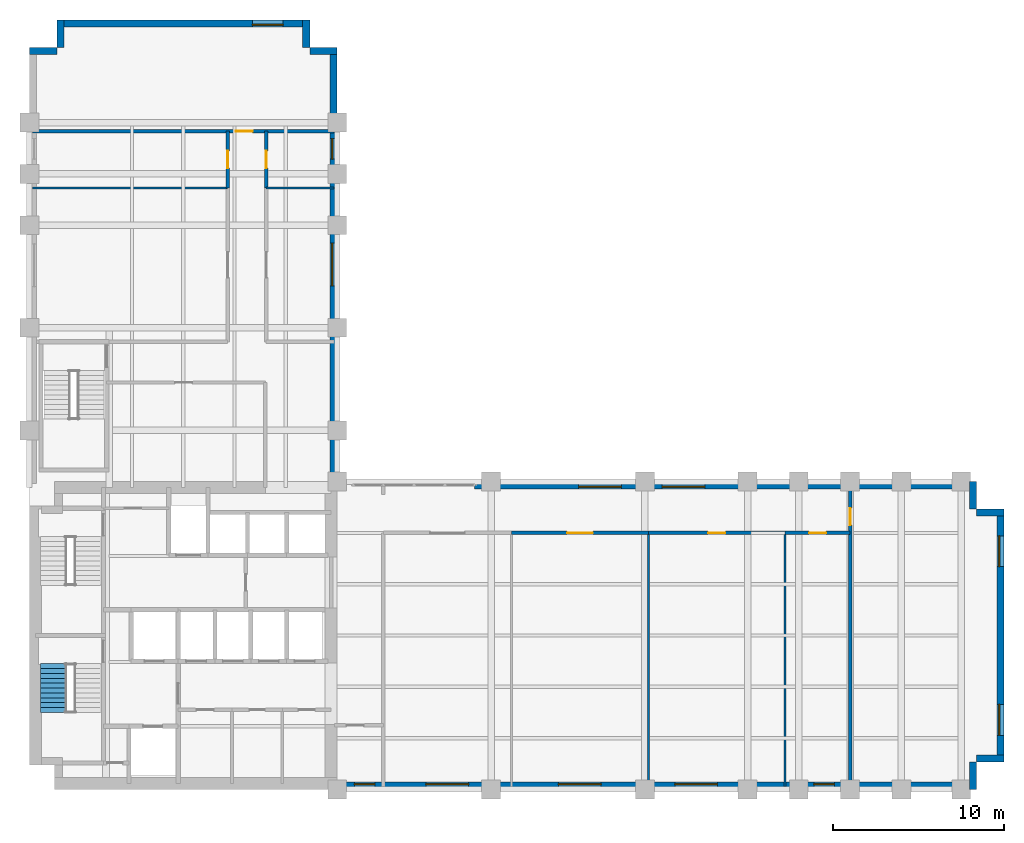
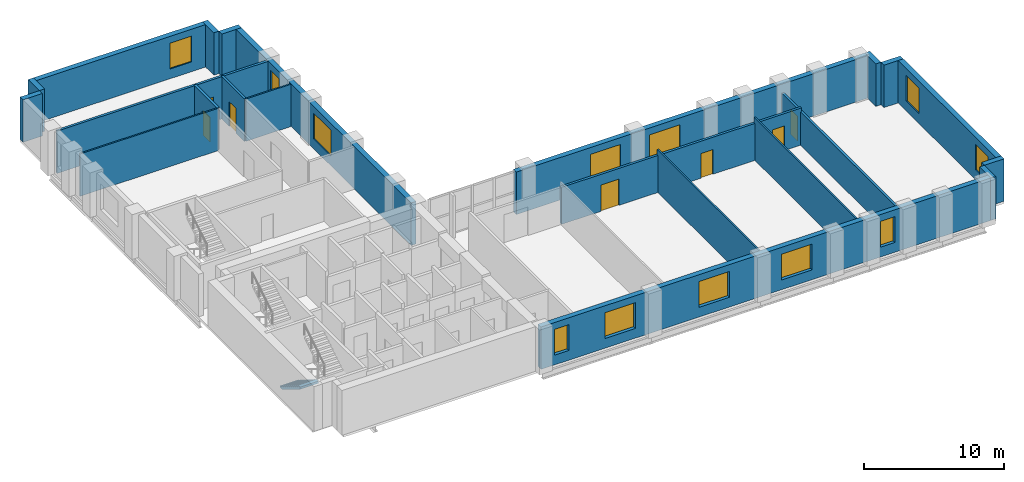
# One storey, part 6 of 8: 24 walls, 12 windows, 7 doors, 1 stair flight, 19 openings, 1 element without a shape of its own.
"""IFC4 building model written with IfcOpenShell, lengths in metres."""

from ifc_helpers import new_model, si_unit, direction, frame, frame_2d, origin, place, context, subcontext, project, spatial, polyline, rectangle, outline, extrude, material, layer, layer_set, type_object, element, fill, aggregate, save


model = new_model("IFC4")

# Units and contexts
model_context = context("Model", 3, precision=1e-05, world=origin(), true_north=direction((0.0, 1.0)))
body_context = subcontext(model_context, "Body", "Model", "MODEL_VIEW")
ifc_project = project(units=[si_unit("LENGTHUNIT", "METRE"), si_unit("AREAUNIT", "SQUARE_METRE"), si_unit("VOLUMEUNIT", "CUBIC_METRE"), si_unit("PLANEANGLEUNIT", "RADIAN"), si_unit("MASSUNIT", "GRAM", prefix="KILO")], contexts=[model_context])

# Site, building, storey
site_placement = place(None, origin())
site = spatial("IfcSite", under=ifc_project, at=site_placement, CompositionType="ELEMENT")
building_placement = place(site_placement, origin())
building = spatial("IfcBuilding", under=site, at=building_placement, Name="Mawjdan Bourse Tower", CompositionType="ELEMENT")
storey_placement = place(building_placement, frame((0.0, 0.0, 101.10009765625)))
storey = spatial("IfcBuildingStorey", under=building, at=storey_placement, Name="L23", CompositionType="ELEMENT", Elevation=101.10009765625)

# Wall, openings, windows
ifc_material_1 = material(Name="Brick Masonry Buff", Category="masonry")
ifc_layer_1 = layer(ifc_material_1, 0.419921875)
ifc_layer_set_1 = layer_set([ifc_layer_1], Name="Brick Masonry Buff")
wall_type_1 = type_object("IfcWallType", Name="WL-BRK-BUFF-420", PredefinedType="STANDARD", material=ifc_layer_set_1)
wall_1_placement = place(storey_placement, frame((23.89990234375, 3.2099609375, 0.0), z_axis=(0.0, 0.0, 1.0), x_axis=(1.0, 0.0, 0.0)))
wall_1 = element("IfcWall", 1, at=wall_1_placement, inside=storey, type_object=wall_type_1, Name="L23 Exterior Brick Wall 1", PredefinedType="STANDARD", context=body_context, shape_type="SweptSolid", body=[
    extrude(rectangle(XDim=37.5, YDim=0.419921875, at=frame_2d((18.75, 0.0))), origin(), (0.0, 0.0, 1.0), 3.699951171875),
])
opening_1_placement = place(wall_1_placement, frame((19.84375, 0.0, 0.85009765625)))
opening_1 = element("IfcOpeningElement", 2, at=opening_1_placement, cuts=wall_1, Name="Opening W-L23-01", PredefinedType="OPENING", context=body_context, shape_type="SweptSolid", body=[
    extrude(rectangle(XDim=2.5, YDim=2.25, at=frame_2d((1.25, 1.125))), frame((0.0, 0.219970703125, 0.0), z_axis=(0.0, -1.0, 0.0), x_axis=(1.0, 0.0, 0.0)), (0.0, 0.0, 1.0), 0.43994140625),
])
opening_2_placement = place(wall_1_placement, frame((1.10009765625, 0.0, 0.85009765625)))
opening_2 = element("IfcOpeningElement", 3, at=opening_2_placement, cuts=wall_1, Name="Opening W-L23-09", PredefinedType="OPENING", context=body_context, shape_type="SweptSolid", body=[
    extrude(rectangle(XDim=1.199951171875, YDim=2.25, at=frame_2d((0.60009765625, 1.125))), frame((0.0, 0.219970703125, 0.0), z_axis=(0.0, -1.0, 0.0), x_axis=(1.0, 0.0, 0.0)), (0.0, 0.0, 1.0), 0.43994140625),
])
opening_3_placement = place(wall_1_placement, frame((5.2861328125, 0.0, 0.85009765625)))
opening_3 = element("IfcOpeningElement", 4, at=opening_3_placement, cuts=wall_1, Name="Opening W-L23-10", PredefinedType="OPENING", context=body_context, shape_type="SweptSolid", body=[
    extrude(rectangle(XDim=2.5, YDim=2.25, at=frame_2d((1.25, 1.125))), frame((0.0, 0.219970703125, 0.0), z_axis=(0.0, -1.0, 0.0), x_axis=(1.0, 0.0, 0.0)), (0.0, 0.0, 1.0), 0.43994140625),
])
opening_4_placement = place(wall_1_placement, frame((13.0361328125, 0.0, 0.85009765625)))
opening_4 = element("IfcOpeningElement", 5, at=opening_4_placement, cuts=wall_1, Name="Opening W-L23-11", PredefinedType="OPENING", context=body_context, shape_type="SweptSolid", body=[
    extrude(rectangle(XDim=2.5, YDim=2.25, at=frame_2d((1.25, 1.125))), frame((0.0, 0.219970703125, 0.0), z_axis=(0.0, -1.0, 0.0), x_axis=(1.0, 0.0, 0.0)), (0.0, 0.0, 1.0), 0.43994140625),
])
opening_5_placement = place(wall_1_placement, frame((27.986083984375, 0.0, 0.85009765625)))
opening_5 = element("IfcOpeningElement", 6, at=opening_5_placement, cuts=wall_1, Name="Opening W-L23-12", PredefinedType="OPENING", context=body_context, shape_type="SweptSolid", body=[
    extrude(rectangle(XDim=1.199951171875, YDim=2.25, at=frame_2d((0.60009765625, 1.125))), frame((0.0, 0.219970703125, 0.0), z_axis=(0.0, -1.0, 0.0), x_axis=(1.0, 0.0, 0.0)), (0.0, 0.0, 1.0), 0.43994140625),
])
ifc_material_2 = material(Name="Solar-Control Clear Double Glazing", Category="glass")
window_type_1 = type_object("IfcWindowType", Name="WN-Z2-1200", PartitioningType="SINGLE_PANEL", PredefinedType="WINDOW", material=ifc_material_2)
window_1_placement = place(opening_2_placement, origin())
window_1 = element("IfcWindow", 7, at=window_1_placement, inside=storey, type_object=window_type_1, Name="L23 Deep-Set Masonry Window W-L23-09", OverallHeight=2.25, OverallWidth=1.199951171875, PartitioningType="SINGLE_PANEL", PredefinedType="WINDOW", context=body_context, shape_type="SweptSolid", body=[
    extrude(rectangle(XDim=1.199951171875, YDim=2.25, at=frame_2d((0.60009765625, 1.125))), frame((0.0, 0.110107421875, 0.0), z_axis=(0.0, -1.0, 0.0), x_axis=(1.0, 0.0, 0.0)), (0.0, 0.0, 1.0), 0.06005859375),
])
fill(opening_2, window_1)
window_2_placement = place(opening_5_placement, origin())
window_2 = element("IfcWindow", 8, at=window_2_placement, inside=storey, type_object=window_type_1, Name="L23 Deep-Set Masonry Window W-L23-12", OverallHeight=2.25, OverallWidth=1.199951171875, PartitioningType="SINGLE_PANEL", PredefinedType="WINDOW", context=body_context, shape_type="SweptSolid", body=[
    extrude(rectangle(XDim=1.199951171875, YDim=2.25, at=frame_2d((0.60009765625, 1.125))), frame((0.0, 0.110107421875, 0.0), z_axis=(0.0, -1.0, 0.0), x_axis=(1.0, 0.0, 0.0)), (0.0, 0.0, 1.0), 0.06005859375),
])
fill(opening_5, window_2)
window_type_2 = type_object("IfcWindowType", Name="WN-Z2-2500", PartitioningType="SINGLE_PANEL", PredefinedType="WINDOW", material=ifc_material_2)
window_3_placement = place(opening_1_placement, origin())
window_3 = element("IfcWindow", 9, at=window_3_placement, inside=storey, type_object=window_type_2, Name="L23 Deep-Set Masonry Window W-L23-01", OverallHeight=2.25, OverallWidth=2.5, PartitioningType="SINGLE_PANEL", PredefinedType="WINDOW", context=body_context, shape_type="SweptSolid", body=[
    extrude(rectangle(XDim=2.5, YDim=2.25, at=frame_2d((1.25, 1.125))), frame((0.0, 0.110107421875, 0.0), z_axis=(0.0, -1.0, 0.0), x_axis=(1.0, 0.0, 0.0)), (0.0, 0.0, 1.0), 0.06005859375),
])
fill(opening_1, window_3)
window_4_placement = place(opening_3_placement, origin())
window_4 = element("IfcWindow", 10, at=window_4_placement, inside=storey, type_object=window_type_2, Name="L23 Deep-Set Masonry Window W-L23-10", OverallHeight=2.25, OverallWidth=2.5, PartitioningType="SINGLE_PANEL", PredefinedType="WINDOW", context=body_context, shape_type="SweptSolid", body=[
    extrude(rectangle(XDim=2.5, YDim=2.25, at=frame_2d((1.25, 1.125))), frame((0.0, 0.110107421875, 0.0), z_axis=(0.0, -1.0, 0.0), x_axis=(1.0, 0.0, 0.0)), (0.0, 0.0, 1.0), 0.06005859375),
])
fill(opening_3, window_4)
window_5_placement = place(opening_4_placement, origin())
window_5 = element("IfcWindow", 11, at=window_5_placement, inside=storey, type_object=window_type_2, Name="L23 Deep-Set Masonry Window W-L23-11", OverallHeight=2.25, OverallWidth=2.5, PartitioningType="SINGLE_PANEL", PredefinedType="WINDOW", context=body_context, shape_type="SweptSolid", body=[
    extrude(rectangle(XDim=2.5, YDim=2.25, at=frame_2d((1.25, 1.125))), frame((0.0, 0.110107421875, 0.0), z_axis=(0.0, -1.0, 0.0), x_axis=(1.0, 0.0, 0.0)), (0.0, 0.0, 1.0), 0.06005859375),
])
fill(opening_4, window_5)

# Walls
for number, where, z_axis, x_axis, name in (
    (12, (61.18994140625, 3.0, 0.0), (0.0, 0.0, 1.0), (0.0, 1.0, 0.0), "L23 Exterior Brick Wall 2"),
    (13, (61.39990234375, 4.81005859375, 0.0), (0.0, 0.0, 1.0), (1.0, 0.0, 0.0), "L23 Exterior Brick Wall 3"),
):
    element("IfcWall", number, at=place(storey_placement, frame(where, z_axis=z_axis, x_axis=x_axis)), inside=storey, type_object=wall_type_1, Name=name, PredefinedType="STANDARD", context=body_context, shape_type="SweptSolid", body=[
        extrude(rectangle(XDim=1.60009765625, YDim=0.419921875, at=frame_2d((0.800048828125, 0.0))), origin(), (0.0, 0.0, 1.0), 3.699951171875),
    ])

# Wall, openings, windows
wall_2_placement = place(storey_placement, frame((62.7900390625, 4.60009765625, 0.0), z_axis=(0.0, 0.0, 1.0), x_axis=(0.0, 1.0, 0.0)))
wall_2 = element("IfcWall", 14, at=wall_2_placement, inside=storey, type_object=wall_type_1, Name="L23 Exterior Brick Wall 4", PredefinedType="STANDARD", context=body_context, shape_type="SweptSolid", body=[
    extrude(rectangle(XDim=14.7998046875, YDim=0.419921875, at=frame_2d((7.39990234375, 0.0))), origin(), (0.0, 0.0, 1.0), 3.699951171875),
])
opening_6_placement = place(wall_2_placement, frame((1.566650390625, 0.0, 0.85009765625)))
opening_6 = element("IfcOpeningElement", 15, at=opening_6_placement, cuts=wall_2, Name="Opening W-L23-02", PredefinedType="OPENING", context=body_context, shape_type="SweptSolid", body=[
    extrude(rectangle(XDim=1.800048828125, YDim=2.25, at=frame_2d((0.89990234375, 1.125))), frame((0.0, 0.219970703125, 0.0), z_axis=(0.0, -1.0, 0.0), x_axis=(1.0, 0.0, 0.0)), (0.0, 0.0, 1.0), 0.43994140625),
])
opening_7_placement = place(wall_2_placement, frame((11.433349609375, 0.0, 0.85009765625)))
opening_7 = element("IfcOpeningElement", 16, at=opening_7_placement, cuts=wall_2, Name="Opening W-L23-03", PredefinedType="OPENING", context=body_context, shape_type="SweptSolid", body=[
    extrude(rectangle(XDim=1.800048828125, YDim=2.25, at=frame_2d((0.89990234375, 1.125))), frame((0.0, 0.219970703125, 0.0), z_axis=(0.0, -1.0, 0.0), x_axis=(1.0, 0.0, 0.0)), (0.0, 0.0, 1.0), 0.43994140625),
])
window_type_3 = type_object("IfcWindowType", Name="WN-Z2-1800", PartitioningType="SINGLE_PANEL", PredefinedType="WINDOW", material=ifc_material_2)
window_6_placement = place(opening_6_placement, origin())
window_6 = element("IfcWindow", 17, at=window_6_placement, inside=storey, type_object=window_type_3, Name="L23 Deep-Set Masonry Window W-L23-02", OverallHeight=2.25, OverallWidth=1.800048828125, PartitioningType="SINGLE_PANEL", PredefinedType="WINDOW", context=body_context, shape_type="SweptSolid", body=[
    extrude(rectangle(XDim=1.800048828125, YDim=2.25, at=frame_2d((0.89990234375, 1.125))), frame((0.0, 0.110107421875, 0.0), z_axis=(0.0, -1.0, 0.0), x_axis=(1.0, 0.0, 0.0)), (0.0, 0.0, 1.0), 0.06005859375),
])
fill(opening_6, window_6)
window_7_placement = place(opening_7_placement, origin())
window_7 = element("IfcWindow", 18, at=window_7_placement, inside=storey, type_object=window_type_3, Name="L23 Deep-Set Masonry Window W-L23-03", OverallHeight=2.25, OverallWidth=1.800048828125, PartitioningType="SINGLE_PANEL", PredefinedType="WINDOW", context=body_context, shape_type="SweptSolid", body=[
    extrude(rectangle(XDim=1.800048828125, YDim=2.25, at=frame_2d((0.89990234375, 1.125))), frame((0.0, 0.110107421875, 0.0), z_axis=(0.0, -1.0, 0.0), x_axis=(1.0, 0.0, 0.0)), (0.0, 0.0, 1.0), 0.06005859375),
])
fill(opening_7, window_7)

# Walls
for number, where, z_axis, x_axis, name in (
    (19, (63.0, 19.18994140625, 0.0), (0.0, 0.0, 1.0), (-1.0, 0.0, 0.0), "L23 Exterior Brick Wall 5"),
    (20, (61.18994140625, 19.39990234375, 0.0), (0.0, 0.0, 1.0), (0.0, 1.0, 0.0), "L23 Exterior Brick Wall 6"),
):
    element("IfcWall", number, at=place(storey_placement, frame(where, z_axis=z_axis, x_axis=x_axis)), inside=storey, type_object=wall_type_1, Name=name, PredefinedType="STANDARD", context=body_context, shape_type="SweptSolid", body=[
        extrude(rectangle(XDim=1.60009765625, YDim=0.419921875, at=frame_2d((0.800048828125, 0.0))), origin(), (0.0, 0.0, 1.0), 3.699951171875),
    ])

# Wall, openings, windows
wall_3_placement = place(storey_placement, frame((61.39990234375, 20.7900390625, 0.0), z_axis=(0.0, 0.0, 1.0), x_axis=(-1.0, 0.0, 0.0)))
wall_3 = element("IfcWall", 21, at=wall_3_placement, inside=storey, type_object=wall_type_1, Name="L23 Exterior Brick Wall 7A", PredefinedType="STANDARD", context=body_context, shape_type="SweptSolid", body=[
    extrude(rectangle(XDim=29.3798828125, YDim=0.419921875, at=frame_2d((14.68994140625, 0.0))), origin(), (0.0, 0.0, 1.0), 3.699951171875),
])
opening_8_placement = place(wall_3_placement, frame((15.88818359375, 0.0, 0.85009765625)))
opening_8 = element("IfcOpeningElement", 22, at=opening_8_placement, cuts=wall_3, Name="Opening W-L23-04", PredefinedType="OPENING", context=body_context, shape_type="SweptSolid", body=[
    extrude(rectangle(XDim=2.5, YDim=2.25, at=frame_2d((1.25, 1.125))), frame((0.0, 0.219970703125, 0.0), z_axis=(0.0, -1.0, 0.0), x_axis=(1.0, 0.0, 0.0)), (0.0, 0.0, 1.0), 0.43994140625),
])
opening_9_placement = place(wall_3_placement, frame((20.784912109375, 0.0, 0.85009765625)))
opening_9 = element("IfcOpeningElement", 23, at=opening_9_placement, cuts=wall_3, Name="Opening W-L23-05", PredefinedType="OPENING", context=body_context, shape_type="SweptSolid", body=[
    extrude(rectangle(XDim=2.5, YDim=2.25, at=frame_2d((1.25, 1.125))), frame((0.0, 0.219970703125, 0.0), z_axis=(0.0, -1.0, 0.0), x_axis=(1.0, 0.0, 0.0)), (0.0, 0.0, 1.0), 0.43994140625),
])
window_8_placement = place(opening_8_placement, origin())
window_8 = element("IfcWindow", 24, at=window_8_placement, inside=storey, type_object=window_type_2, Name="L23 Deep-Set Masonry Window W-L23-04", OverallHeight=2.25, OverallWidth=2.5, PartitioningType="SINGLE_PANEL", PredefinedType="WINDOW", context=body_context, shape_type="SweptSolid", body=[
    extrude(rectangle(XDim=2.5, YDim=2.25, at=frame_2d((1.25, 1.125))), frame((0.0, 0.110107421875, 0.0), z_axis=(0.0, -1.0, 0.0), x_axis=(1.0, 0.0, 0.0)), (0.0, 0.0, 1.0), 0.06005859375),
])
fill(opening_8, window_8)
window_9_placement = place(opening_9_placement, origin())
window_9 = element("IfcWindow", 25, at=window_9_placement, inside=storey, type_object=window_type_2, Name="L23 Deep-Set Masonry Window W-L23-05", OverallHeight=2.25, OverallWidth=2.5, PartitioningType="SINGLE_PANEL", PredefinedType="WINDOW", context=body_context, shape_type="SweptSolid", body=[
    extrude(rectangle(XDim=2.5, YDim=2.25, at=frame_2d((1.25, 1.125))), frame((0.0, 0.110107421875, 0.0), z_axis=(0.0, -1.0, 0.0), x_axis=(1.0, 0.0, 0.0)), (0.0, 0.0, 1.0), 0.06005859375),
])
fill(opening_9, window_9)

wall_4_placement = place(storey_placement, frame((23.7900390625, 21.0, 0.0), z_axis=(0.0, 0.0, 1.0), x_axis=(0.0, 1.0, 0.0)))
wall_4 = element("IfcWall", 26, at=wall_4_placement, inside=storey, type_object=wall_type_1, Name="L23 Exterior Brick Wall 8", PredefinedType="STANDARD", context=body_context, shape_type="SweptSolid", body=[
    extrude(rectangle(XDim=25.39990234375, YDim=0.419921875, at=frame_2d((12.699951171875, 0.0))), origin(), (0.0, 0.0, 1.0), 3.699951171875),
])
opening_10_placement = place(wall_4_placement, frame((11.449951171875, 0.0, 0.85009765625)))
opening_10 = element("IfcOpeningElement", 27, at=opening_10_placement, cuts=wall_4, Name="Opening W-L23-06", PredefinedType="OPENING", context=body_context, shape_type="SweptSolid", body=[
    extrude(rectangle(XDim=2.5, YDim=2.25, at=frame_2d((1.25, 1.125))), frame((0.0, 0.219970703125, 0.0), z_axis=(0.0, -1.0, 0.0), x_axis=(1.0, 0.0, 0.0)), (0.0, 0.0, 1.0), 0.43994140625),
])
opening_11_placement = place(wall_4_placement, frame((18.8662109375, 0.0, 0.85009765625)))
opening_11 = element("IfcOpeningElement", 28, at=opening_11_placement, cuts=wall_4, Name="Opening W-L23-14", PredefinedType="OPENING", context=body_context, shape_type="SweptSolid", body=[
    extrude(rectangle(XDim=1.199951171875, YDim=2.25, at=frame_2d((0.60009765625, 1.125))), frame((0.0, 0.219970703125, 0.0), z_axis=(0.0, -1.0, 0.0), x_axis=(1.0, 0.0, 0.0)), (0.0, 0.0, 1.0), 0.43994140625),
])
window_10_placement = place(opening_11_placement, origin())
window_10 = element("IfcWindow", 29, at=window_10_placement, inside=storey, type_object=window_type_1, Name="L23 Deep-Set Masonry Window W-L23-14", OverallHeight=2.25, OverallWidth=1.199951171875, PartitioningType="SINGLE_PANEL", PredefinedType="WINDOW", context=body_context, shape_type="SweptSolid", body=[
    extrude(rectangle(XDim=1.199951171875, YDim=2.25, at=frame_2d((0.60009765625, 1.125))), frame((0.0, 0.110107421875, 0.0), z_axis=(0.0, -1.0, 0.0), x_axis=(1.0, 0.0, 0.0)), (0.0, 0.0, 1.0), 0.06005859375),
])
fill(opening_11, window_10)
window_11_placement = place(opening_10_placement, origin())
window_11 = element("IfcWindow", 30, at=window_11_placement, inside=storey, type_object=window_type_2, Name="L23 Deep-Set Masonry Window W-L23-06", OverallHeight=2.25, OverallWidth=2.5, PartitioningType="SINGLE_PANEL", PredefinedType="WINDOW", context=body_context, shape_type="SweptSolid", body=[
    extrude(rectangle(XDim=2.5, YDim=2.25, at=frame_2d((1.25, 1.125))), frame((0.0, 0.110107421875, 0.0), z_axis=(0.0, -1.0, 0.0), x_axis=(1.0, 0.0, 0.0)), (0.0, 0.0, 1.0), 0.06005859375),
])
fill(opening_10, window_11)

# Walls
for number, where, z_axis, x_axis, name in (
    (31, (24.0, 46.18994140625, 0.0), (0.0, 0.0, 1.0), (-1.0, 0.0, 0.0), "L23 Exterior Brick Wall 9"),
    (32, (22.18994140625, 46.39990234375, 0.0), (0.0, 0.0, 1.0), (0.0, 1.0, 0.0), "L23 Exterior Brick Wall 10"),
):
    element("IfcWall", number, at=place(storey_placement, frame(where, z_axis=z_axis, x_axis=x_axis)), inside=storey, type_object=wall_type_1, Name=name, PredefinedType="STANDARD", context=body_context, shape_type="SweptSolid", body=[
        extrude(rectangle(XDim=1.60009765625, YDim=0.419921875, at=frame_2d((0.800048828125, 0.0))), origin(), (0.0, 0.0, 1.0), 3.699951171875),
    ])

# Wall, opening, window
wall_5_placement = place(storey_placement, frame((22.39990234375, 47.7900390625, 0.0), z_axis=(0.0, 0.0, 1.0), x_axis=(-1.0, 0.0, 0.0)))
wall_5 = element("IfcWall", 33, at=wall_5_placement, inside=storey, type_object=wall_type_1, Name="L23 Exterior Brick Wall 11", PredefinedType="STANDARD", context=body_context, shape_type="SweptSolid", body=[
    extrude(rectangle(XDim=14.7998046875, YDim=0.419921875, at=frame_2d((7.39990234375, 0.0))), origin(), (0.0, 0.0, 1.0), 3.699951171875),
])
opening_12_placement = place(wall_5_placement, frame((1.566650390625, 0.0, 0.85009765625)))
opening_12 = element("IfcOpeningElement", 34, at=opening_12_placement, cuts=wall_5, Name="Opening W-L23-07", PredefinedType="OPENING", context=body_context, shape_type="SweptSolid", body=[
    extrude(rectangle(XDim=1.800048828125, YDim=2.25, at=frame_2d((0.89990234375, 1.125))), frame((0.0, 0.219970703125, 0.0), z_axis=(0.0, -1.0, 0.0), x_axis=(1.0, 0.0, 0.0)), (0.0, 0.0, 1.0), 0.43994140625),
])
window_12_placement = place(opening_12_placement, origin())
window_12 = element("IfcWindow", 35, at=window_12_placement, inside=storey, type_object=window_type_3, Name="L23 Deep-Set Masonry Window W-L23-07", OverallHeight=2.25, OverallWidth=1.800048828125, PartitioningType="SINGLE_PANEL", PredefinedType="WINDOW", context=body_context, shape_type="SweptSolid", body=[
    extrude(rectangle(XDim=1.800048828125, YDim=2.25, at=frame_2d((0.89990234375, 1.125))), frame((0.0, 0.110107421875, 0.0), z_axis=(0.0, -1.0, 0.0), x_axis=(1.0, 0.0, 0.0)), (0.0, 0.0, 1.0), 0.06005859375),
])
fill(opening_12, window_12)

# Walls
for number, where, z_axis, x_axis, name in (
    (36, (7.81005859375, 48.0, 0.0), (0.0, 0.0, 1.0), (0.0, -1.0, 0.0), "L23 Exterior Brick Wall 12"),
    (37, (7.60009765625, 46.18994140625, 0.0), (0.0, 0.0, 1.0), (-1.0, 0.0, 0.0), "L23 Exterior Brick Wall 13"),
):
    element("IfcWall", number, at=place(storey_placement, frame(where, z_axis=z_axis, x_axis=x_axis)), inside=storey, type_object=wall_type_1, Name=name, PredefinedType="STANDARD", context=body_context, shape_type="SweptSolid", body=[
        extrude(rectangle(XDim=1.60009765625, YDim=0.419921875, at=frame_2d((0.800048828125, 0.0))), origin(), (0.0, 0.0, 1.0), 3.699951171875),
    ])

# Wall, opening, door
ifc_material_3 = material(Name="Gypsum Fireboard Assembly")
ifc_layer_2 = layer(ifc_material_3, 0.199951171875)
ifc_layer_set_2 = layer_set([ifc_layer_2], Name="Gypsum Fireboard Assembly")
wall_type_2 = type_object("IfcWallType", Name="WL-CMP-200", PredefinedType="PARTITIONING", material=ifc_layer_set_2)
wall_6_placement = place(storey_placement, frame((34.199951171875, 18.0, 0.0), z_axis=(0.0, 0.0, 1.0), x_axis=(1.0, 0.0, 0.0)))
wall_6 = element("IfcWall", 38, at=wall_6_placement, inside=storey, type_object=wall_type_2, Name="L23 Conference Room Corridor Wall", PredefinedType="PARTITIONING", context=body_context, shape_type="SweptSolid", body=[
    extrude(rectangle(XDim=8.0, YDim=0.199951171875, at=frame_2d((4.0, 0.0))), origin(), (0.0, 0.0, 1.0), 3.226806640625),
])
opening_13_placement = place(wall_6_placement, frame((3.25, 0.0, 0.0)))
opening_13 = element("IfcOpeningElement", 39, at=opening_13_placement, cuts=wall_6, Name="Opening D-L23-22", PredefinedType="OPENING", context=body_context, shape_type="SweptSolid", body=[
    extrude(rectangle(XDim=1.5, YDim=2.300048828125, at=frame_2d((0.75, 1.14990234375))), frame((0.0, 0.10986328125, 0.0), z_axis=(0.0, -1.0, 0.0), x_axis=(1.0, 0.0, 0.0)), (0.0, 0.0, 1.0), 0.219970703125),
])
ifc_material_4 = material(Name="Acoustic Glazed Timber", Category="wood")
door_type_1 = type_object("IfcDoorType", Name="DR-CNF-1500", OperationType="DOUBLE_DOOR_SINGLE_SWING", PredefinedType="DOOR", material=ifc_material_4)
door_1_placement = place(opening_13_placement, origin())
door_1 = element("IfcDoor", 40, at=door_1_placement, inside=storey, type_object=door_type_1, Name="L23 Conference Room Door D-L23-22", OperationType="DOUBLE_DOOR_SINGLE_SWING", OverallHeight=2.300048828125, OverallWidth=1.5, PredefinedType="DOOR", context=body_context, shape_type="SweptSolid", body=[
    extrude(rectangle(XDim=1.5, YDim=2.300048828125, at=frame_2d((0.75, 1.14990234375))), frame((0.0, 0.02490234375, 0.0), z_axis=(0.0, -1.0, 0.0), x_axis=(1.0, 0.0, 0.0)), (0.0, 0.0, 1.0), 0.050048828125),
])
fill(opening_13, door_1)

wall_7_placement = place(storey_placement, frame((42.199951171875, 18.0, 0.0), z_axis=(0.0, 0.0, 1.0), x_axis=(1.0, 0.0, 0.0)))
wall_7 = element("IfcWall", 41, at=wall_7_placement, inside=storey, type_object=wall_type_2, Name="L23 Executive Office Corridor Wall", PredefinedType="PARTITIONING", context=body_context, shape_type="SweptSolid", body=[
    extrude(rectangle(XDim=8.0, YDim=0.199951171875, at=frame_2d((4.0, 0.0))), origin(), (0.0, 0.0, 1.0), 3.226806640625),
])
opening_14_placement = place(wall_7_placement, frame((3.5, 0.0, 0.0)))
opening_14 = element("IfcOpeningElement", 42, at=opening_14_placement, cuts=wall_7, Name="Opening D-L23-23", PredefinedType="OPENING", context=body_context, shape_type="SweptSolid", body=[
    extrude(rectangle(XDim=1.0, YDim=2.14990234375, at=frame_2d((0.5, 1.074951171875))), frame((0.0, 0.10986328125, 0.0), z_axis=(0.0, -1.0, 0.0), x_axis=(1.0, 0.0, 0.0)), (0.0, 0.0, 1.0), 0.219970703125),
])
ifc_material_5 = material(Name="Hardwood Acoustic Leaf", Category="wood")
door_type_2 = type_object("IfcDoorType", Name="DR-OFC-1000", OperationType="NOTDEFINED", PredefinedType="DOOR", material=ifc_material_5)
door_2_placement = place(opening_14_placement, origin())
door_2 = element("IfcDoor", 43, at=door_2_placement, inside=storey, type_object=door_type_2, Name="L23 Executive Office Door D-L23-23", OperationType="SINGLE_SWING_LEFT", OverallHeight=2.14990234375, OverallWidth=1.0, PredefinedType="DOOR", context=body_context, shape_type="SweptSolid", body=[
    extrude(rectangle(XDim=1.0, YDim=2.14990234375, at=frame_2d((0.5, 1.074951171875))), frame((0.0, 0.02490234375, 0.0), z_axis=(0.0, -1.0, 0.0), x_axis=(1.0, 0.0, 0.0)), (0.0, 0.0, 1.0), 0.050048828125),
])
fill(opening_14, door_2)

wall_8_placement = place(storey_placement, frame((50.199951171875, 18.0, 0.0), z_axis=(0.0, 0.0, 1.0), x_axis=(1.0, 0.0, 0.0)))
wall_8 = element("IfcWall", 44, at=wall_8_placement, inside=storey, type_object=wall_type_2, Name="L23 Private Banking Suite Corridor Wall", PredefinedType="PARTITIONING", context=body_context, shape_type="SweptSolid", body=[
    extrude(rectangle(XDim=3.800048828125, YDim=0.199951171875, at=frame_2d((1.89990234375, 0.0))), origin(), (0.0, 0.0, 1.0), 3.226806640625),
])
opening_15_placement = place(wall_8_placement, frame((1.39990234375, 0.0, 0.0)))
opening_15 = element("IfcOpeningElement", 45, at=opening_15_placement, cuts=wall_8, Name="Opening D-L23-24", PredefinedType="OPENING", context=body_context, shape_type="SweptSolid", body=[
    extrude(rectangle(XDim=1.0, YDim=2.14990234375, at=frame_2d((0.5, 1.074951171875))), frame((0.0, 0.10986328125, 0.0), z_axis=(0.0, -1.0, 0.0), x_axis=(1.0, 0.0, 0.0)), (0.0, 0.0, 1.0), 0.219970703125),
])
door_3_placement = place(opening_15_placement, origin())
door_3 = element("IfcDoor", 46, at=door_3_placement, inside=storey, type_object=door_type_2, Name="L23 Private Banking Suite Door D-L23-24", OperationType="SINGLE_SWING_RIGHT", OverallHeight=2.14990234375, OverallWidth=1.0, PredefinedType="DOOR", context=body_context, shape_type="SweptSolid", body=[
    extrude(rectangle(XDim=1.0, YDim=2.14990234375, at=frame_2d((0.5, 1.074951171875))), frame((0.0, 0.02490234375, 0.0), z_axis=(0.0, -1.0, 0.0), x_axis=(1.0, 0.0, 0.0)), (0.0, 0.0, 1.0), 0.050048828125),
])
fill(opening_15, door_3)

wall_9_placement = place(storey_placement, frame((54.0, 3.179931640625, 0.0), z_axis=(0.0, 0.0, 1.0), x_axis=(0.0, 1.0, 0.0)))
wall_9 = element("IfcWall", 47, at=wall_9_placement, inside=storey, type_object=wall_type_2, Name="L23 East Tip Full Cross Wall", PredefinedType="PARTITIONING", context=body_context, shape_type="SweptSolid", body=[
    extrude(rectangle(XDim=17.64013671875, YDim=0.199951171875, at=frame_2d((8.820068359375, 0.0))), origin(), (0.0, 0.0, 1.0), 2.9169921875),
])
opening_16_placement = place(wall_9_placement, frame((15.27490234375, 0.0, 0.0)))
opening_16 = element("IfcOpeningElement", 48, at=opening_16_placement, cuts=wall_9, Name="Opening D-L23-25", PredefinedType="OPENING", context=body_context, shape_type="SweptSolid", body=[
    extrude(rectangle(XDim=1.0, YDim=2.14990234375, at=frame_2d((0.5, 1.074951171875))), frame((0.0, 0.10986328125, 0.0), z_axis=(0.0, -1.0, 0.0), x_axis=(1.0, 0.0, 0.0)), (0.0, 0.0, 1.0), 0.219970703125),
])
door_4_placement = place(opening_16_placement, origin())
door_4 = element("IfcDoor", 49, at=door_4_placement, inside=storey, type_object=door_type_2, Name="L23 East Tip Hall Door D-L23-25", OperationType="SINGLE_SWING_LEFT", OverallHeight=2.14990234375, OverallWidth=1.0, PredefinedType="DOOR", context=body_context, shape_type="SweptSolid", body=[
    extrude(rectangle(XDim=1.0, YDim=2.14990234375, at=frame_2d((0.5, 1.074951171875))), frame((0.0, 0.02490234375, 0.0), z_axis=(0.0, -1.0, 0.0), x_axis=(1.0, 0.0, 0.0)), (0.0, 0.0, 1.0), 0.050048828125),
])
fill(opening_16, door_4)

wall_10_placement = place(storey_placement, frame((17.60009765625, 38.179931640625, 0.0), z_axis=(0.0, 0.0, 1.0), x_axis=(0.0, 1.0, 0.0)))
wall_10 = element("IfcWall", 50, at=wall_10_placement, inside=storey, type_object=wall_type_2, Name="L23 Executive Office Corridor Wall", PredefinedType="PARTITIONING", context=body_context, shape_type="SweptSolid", body=[
    extrude(rectangle(XDim=3.320068359375, YDim=0.199951171875, at=frame_2d((1.66015625, 0.0))), origin(), (0.0, 0.0, 1.0), 3.68994140625),
])
opening_17_placement = place(wall_10_placement, frame((1.159912109375, 0.0, 0.0)))
opening_17 = element("IfcOpeningElement", 51, at=opening_17_placement, cuts=wall_10, Name="Opening D-L23-28", PredefinedType="OPENING", context=body_context, shape_type="SweptSolid", body=[
    extrude(rectangle(XDim=1.0, YDim=2.14990234375, at=frame_2d((0.5, 1.074951171875))), frame((0.0, 0.10986328125, 0.0), z_axis=(0.0, -1.0, 0.0), x_axis=(1.0, 0.0, 0.0)), (0.0, 0.0, 1.0), 0.219970703125),
])
door_5_placement = place(opening_17_placement, origin())
door_5 = element("IfcDoor", 52, at=door_5_placement, inside=storey, type_object=door_type_2, Name="L23 Executive Office Door D-L23-28", OperationType="SINGLE_SWING_LEFT", OverallHeight=2.14990234375, OverallWidth=1.0, PredefinedType="DOOR", context=body_context, shape_type="SweptSolid", body=[
    extrude(rectangle(XDim=1.0, YDim=2.14990234375, at=frame_2d((0.5, 1.074951171875))), frame((0.0, 0.02490234375, 0.0), z_axis=(0.0, -1.0, 0.0), x_axis=(1.0, 0.0, 0.0)), (0.0, 0.0, 1.0), 0.050048828125),
])
fill(opening_17, door_5)

wall_11_placement = place(storey_placement, frame((19.85009765625, 38.179931640625, 0.0), z_axis=(0.0, 0.0, 1.0), x_axis=(0.0, 1.0, 0.0)))
wall_11 = element("IfcWall", 53, at=wall_11_placement, inside=storey, type_object=wall_type_2, Name="L23 Client Reception Corridor Wall", PredefinedType="PARTITIONING", context=body_context, shape_type="SweptSolid", body=[
    extrude(rectangle(XDim=3.320068359375, YDim=0.199951171875, at=frame_2d((1.66015625, 0.0))), origin(), (0.0, 0.0, 1.0), 3.68994140625),
])
opening_18_placement = place(wall_11_placement, frame((1.159912109375, 0.0, 0.0)))
opening_18 = element("IfcOpeningElement", 54, at=opening_18_placement, cuts=wall_11, Name="Opening D-L23-30", PredefinedType="OPENING", context=body_context, shape_type="SweptSolid", body=[
    extrude(rectangle(XDim=1.0, YDim=2.14990234375, at=frame_2d((0.5, 1.074951171875))), frame((0.0, 0.10986328125, 0.0), z_axis=(0.0, -1.0, 0.0), x_axis=(1.0, 0.0, 0.0)), (0.0, 0.0, 1.0), 0.219970703125),
])
door_6_placement = place(opening_18_placement, origin())
door_6 = element("IfcDoor", 55, at=door_6_placement, inside=storey, type_object=door_type_2, Name="L23 Client Reception Door D-L23-30", OperationType="SINGLE_SWING_RIGHT", OverallHeight=2.14990234375, OverallWidth=1.0, PredefinedType="DOOR", context=body_context, shape_type="SweptSolid", body=[
    extrude(rectangle(XDim=1.0, YDim=2.14990234375, at=frame_2d((0.5, 1.074951171875))), frame((0.0, 0.02490234375, 0.0), z_axis=(0.0, -1.0, 0.0), x_axis=(1.0, 0.0, 0.0)), (0.0, 0.0, 1.0), 0.050048828125),
])
fill(opening_18, door_6)

wall_12_placement = place(storey_placement, frame((6.179931640625, 41.5, 0.0), z_axis=(0.0, 0.0, 1.0), x_axis=(1.0, 0.0, 0.0)))
wall_12 = element("IfcWall", 56, at=wall_12_placement, inside=storey, type_object=wall_type_2, Name="L23 North Tip Full Cross Wall", PredefinedType="PARTITIONING", context=body_context, shape_type="SweptSolid", body=[
    extrude(rectangle(XDim=17.64013671875, YDim=0.199951171875, at=frame_2d((8.820068359375, 0.0))), origin(), (0.0, 0.0, 1.0), 3.68994140625),
])
opening_19_placement = place(wall_12_placement, frame((11.875, 0.0, 0.0)))
opening_19 = element("IfcOpeningElement", 57, at=opening_19_placement, cuts=wall_12, Name="Opening D-L23-31", PredefinedType="OPENING", context=body_context, shape_type="SweptSolid", body=[
    extrude(rectangle(XDim=1.0, YDim=2.14990234375, at=frame_2d((0.5, 1.074951171875))), frame((0.0, 0.10986328125, 0.0), z_axis=(0.0, -1.0, 0.0), x_axis=(1.0, 0.0, 0.0)), (0.0, 0.0, 1.0), 0.219970703125),
])
door_7_placement = place(opening_19_placement, origin())
door_7 = element("IfcDoor", 58, at=door_7_placement, inside=storey, type_object=door_type_2, Name="L23 North Tip Suite Door D-L23-31", OperationType="SINGLE_SWING_LEFT", OverallHeight=2.14990234375, OverallWidth=1.0, PredefinedType="DOOR", context=body_context, shape_type="SweptSolid", body=[
    extrude(rectangle(XDim=1.0, YDim=2.14990234375, at=frame_2d((0.5, 1.074951171875))), frame((0.0, 0.02490234375, 0.0), z_axis=(0.0, -1.0, 0.0), x_axis=(1.0, 0.0, 0.0)), (0.0, 0.0, 1.0), 0.050048828125),
])
fill(opening_19, door_7)

# Walls
ifc_material_6 = material(Name="Gypsum Partition")
ifc_layer_3 = layer(ifc_material_6, 0.125)
ifc_layer_set_3 = layer_set([ifc_layer_3], Name="Gypsum Partition")
wall_type_3 = type_object("IfcWallType", Name="WL-PRT-125", PredefinedType="PARTITIONING", material=ifc_layer_set_3)
for number, where, z_axis, x_axis, name in (
    (59, (42.199951171875, 3.179931640625, 0.0), (0.0, 0.0, 1.0), (0.0, 1.0, 0.0), "L23 Executive Office Partition"),
    (60, (50.199951171875, 3.179931640625, 0.0), (0.0, 0.0, 1.0), (0.0, 1.0, 0.0), "L23 Private Banking Suite Partition"),
):
    element("IfcWall", number, at=place(storey_placement, frame(where, z_axis=z_axis, x_axis=x_axis)), inside=storey, type_object=wall_type_3, Name=name, PredefinedType="PARTITIONING", context=body_context, shape_type="SweptSolid", body=[
        extrude(rectangle(XDim=14.820068359375, YDim=0.125, at=frame_2d((7.41015625, 0.0))), origin(), (0.0, 0.0, 1.0), 3.68994140625),
    ])
wall_13_placement = place(storey_placement, frame((6.179931640625, 38.179931640625, 0.0), z_axis=(0.0, 0.0, 1.0), x_axis=(1.0, 0.0, 0.0)))
element("IfcWall", 61, at=wall_13_placement, inside=storey, type_object=wall_type_3, Name="L23 Executive Office Partition", PredefinedType="PARTITIONING", context=body_context, shape_type="SweptSolid", body=[
    extrude(rectangle(XDim=11.420166015625, YDim=0.125, at=frame_2d((5.7099609375, 0.0))), origin(), (0.0, 0.0, 1.0), 3.68994140625),
])
wall_14_placement = place(storey_placement, frame((19.85009765625, 38.179931640625, 0.0), z_axis=(0.0, 0.0, 1.0), x_axis=(1.0, 0.0, 0.0)))
element("IfcWall", 62, at=wall_14_placement, inside=storey, type_object=wall_type_3, Name="L23 Client Reception Partition", PredefinedType="PARTITIONING", context=body_context, shape_type="SweptSolid", body=[
    extrude(rectangle(XDim=3.969970703125, YDim=0.125, at=frame_2d((1.98486328125, 0.0))), origin(), (0.0, 0.0, 1.0), 3.68994140625),
])

# Stair, stair flight
ifc_material_7 = material(Name="Concrete C50/60", Category="concrete")
stair_type = type_object("IfcStairType", Name="STR-CORE-1500", PredefinedType="HALF_TURN_STAIR", material=ifc_material_7)
stair_placement = place(storey_placement, origin())
stair = element("IfcStair", 63, at=stair_placement, inside=storey, type_object=stair_type, Name="L23 Exit Stair 1 (Core South-West)", PredefinedType="HALF_TURN_STAIR")
stair_flight_type = type_object("IfcStairFlightType", Name="SFL-RC-1500", PredefinedType="STRAIGHT", material=ifc_material_7)
stair_flight_placement = place(storey_placement, frame((7.389892578125, 10.35009765625, 0.0), z_axis=(0.0, 0.0, 1.0), x_axis=(0.0, -1.0, 0.0)))
stair_flight = element("IfcStairFlight", 64, at=stair_flight_placement, type_object=stair_flight_type, Name="ST1-L23 flight 1", NumberOfRisers=11, NumberOfTreads=10, PredefinedType="STRAIGHT", RiserHeight=0.177273, TreadLength=0.285, context=body_context, shape_type="SweptSolid", body=[
    extrude(outline(polyline([(0.0, 0.0), (0.0, 0.17724609375), (0.284912109375, 0.17724609375), (0.284912109375, 0.3544921875), (0.570068359375, 0.3544921875), (0.570068359375, 0.53173828125), (0.85498046875, 0.53173828125), (0.85498046875, 0.708984375), (1.139892578125, 0.708984375), (1.139892578125, 0.886474609375), (1.425048828125, 0.886474609375), (1.425048828125, 1.063720703125), (1.7099609375, 1.063720703125), (1.7099609375, 1.240966796875), (1.9951171875, 1.240966796875), (1.9951171875, 1.418212890625), (2.280029296875, 1.418212890625), (2.280029296875, 1.595458984375), (2.56494140625, 1.595458984375), (2.56494140625, 1.772705078125), (2.85009765625, 1.772705078125), (2.85009765625, 1.949951171875), (2.85009765625, 1.58447265625), (0.302734375, 0.0), (0.0, 0.0)])), frame((0.0, 0.75, 0.0), z_axis=(0.0, -1.0, 0.0), x_axis=(1.0, 0.0, 0.0)), (0.0, 0.0, 1.0), 1.5),
])
aggregate(stair, [stair_flight])

save(model, "model.ifc")
